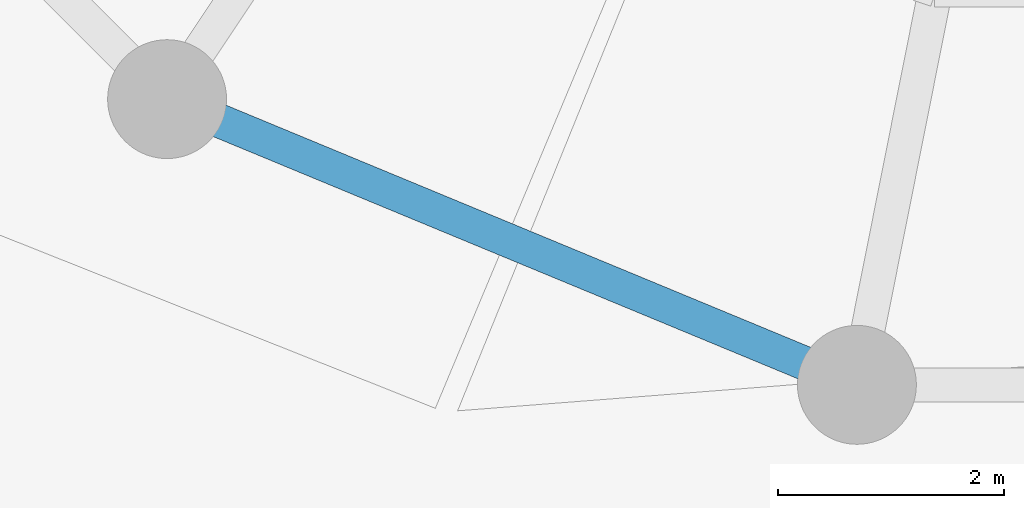
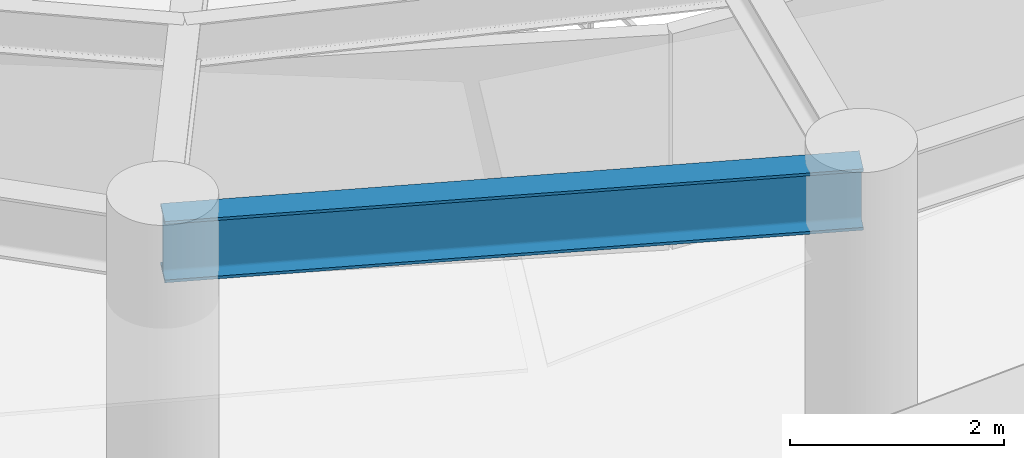
# One storey, part 3 of 12: 1 beam.
"""IFC4 building model written with IfcOpenShell, lengths in metres."""

from ifc_helpers import new_model, si_unit, direction, frame, origin, origin_2d, place, context, subcontext, project, spatial, i_section, extrude, material, material_profile, profile_set, type_object, element, save


model = new_model("IFC4")

# Units and contexts
model_context = context("Model", 3, precision=1e-05, world=origin(), true_north=direction((0.0, 1.0)))
body_context = subcontext(model_context, "Body", "Model", "MODEL_VIEW")
ifc_project = project(units=[si_unit("LENGTHUNIT", "METRE"), si_unit("AREAUNIT", "SQUARE_METRE"), si_unit("VOLUMEUNIT", "CUBIC_METRE"), si_unit("PLANEANGLEUNIT", "RADIAN"), si_unit("MASSUNIT", "GRAM", prefix="KILO"), si_unit("THERMODYNAMICTEMPERATUREUNIT", "KELVIN"), si_unit("POWERUNIT", "WATT")], contexts=[model_context])

# Site, building, storey
site_placement = place(None, origin())
site = spatial("IfcSite", under=ifc_project, at=site_placement, CompositionType="ELEMENT")
building_placement = place(site_placement, origin())
building = spatial("IfcBuilding", under=site, at=building_placement, Name="Ocrelia Relay Tower", CompositionType="ELEMENT")
storey_placement = place(building_placement, frame((0.0, 0.0, 184.39990234375)))
storey = spatial("IfcBuildingStorey", under=building, at=storey_placement, Name="L44", CompositionType="ELEMENT", Elevation=184.39990234375)

# Beam
ifc_material = material(Name="Steel S355", Category="steel")
ifc_material_profile = material_profile(ifc_material, i_section(OverallWidth=0.300048828125, OverallDepth=0.699951171875, WebThickness=0.01708984375, FlangeThickness=0.031982421875, FilletRadius=0.027099609375, at=origin_2d()), Name="HEB 700")
ifc_profile_set = profile_set([ifc_material_profile], Name="Steel S355")
beam_type = type_object("IfcBeamType", Name="BM-HEB700", PredefinedType="BEAM", material=ifc_profile_set)
beam_placement = place(storey_placement, frame((24.61083984375, 11.9482421875, 3.030029296875), z_axis=(0.923877844151, -0.382687508402, 0.0), x_axis=(0.382687508402, 0.923877844151, 0.0)))
element("IfcBeam", 1, at=beam_placement, inside=storey, type_object=beam_type, Name="L44 Perimeter Spandrel Beam S11", PredefinedType="BEAM", context=body_context, shape_type="SweptSolid", body=[
    extrude(i_section(OverallWidth=0.300048828125, OverallDepth=0.699951171875, WebThickness=0.01708984375, FlangeThickness=0.031982421875, FilletRadius=0.027099609375, at=origin_2d()), origin(), (0.0, 0.0, 1.0), 6.593994140625),
])

save(model, "model.ifc")
